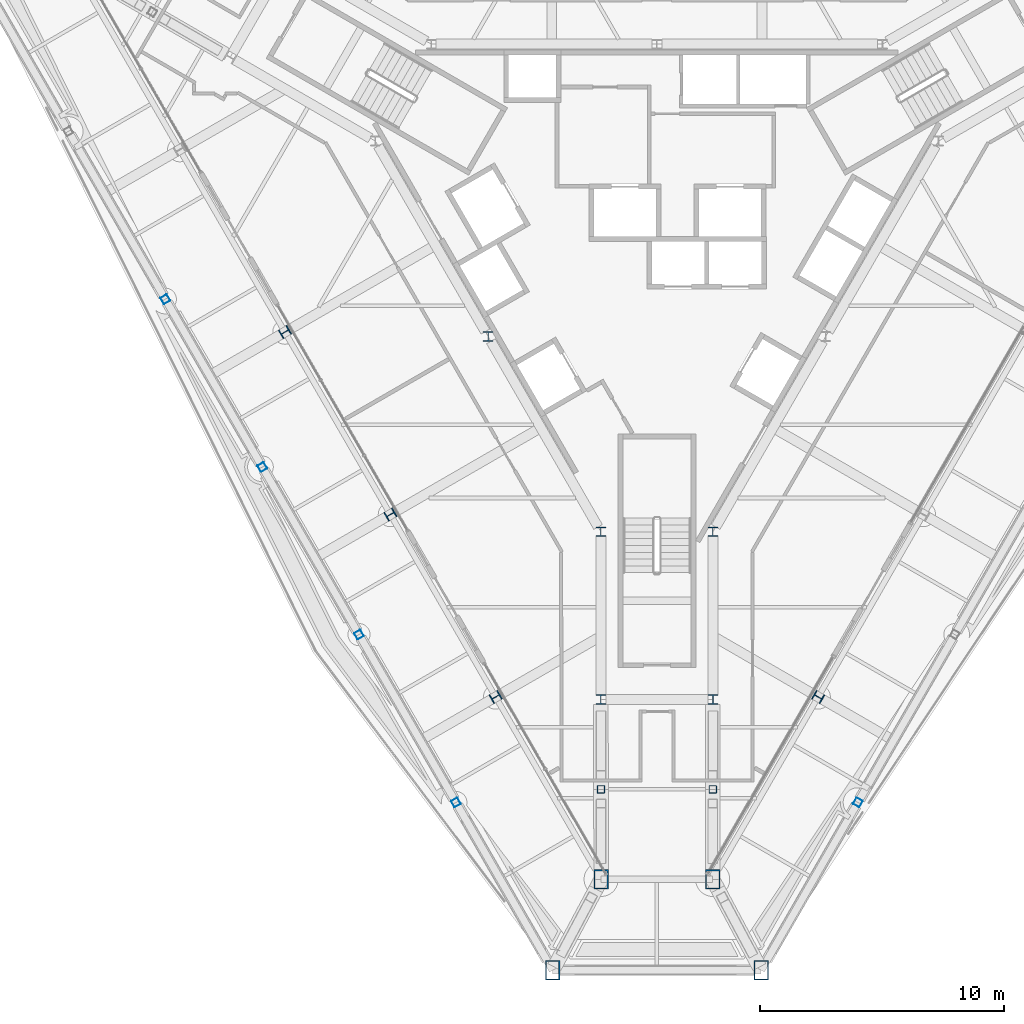
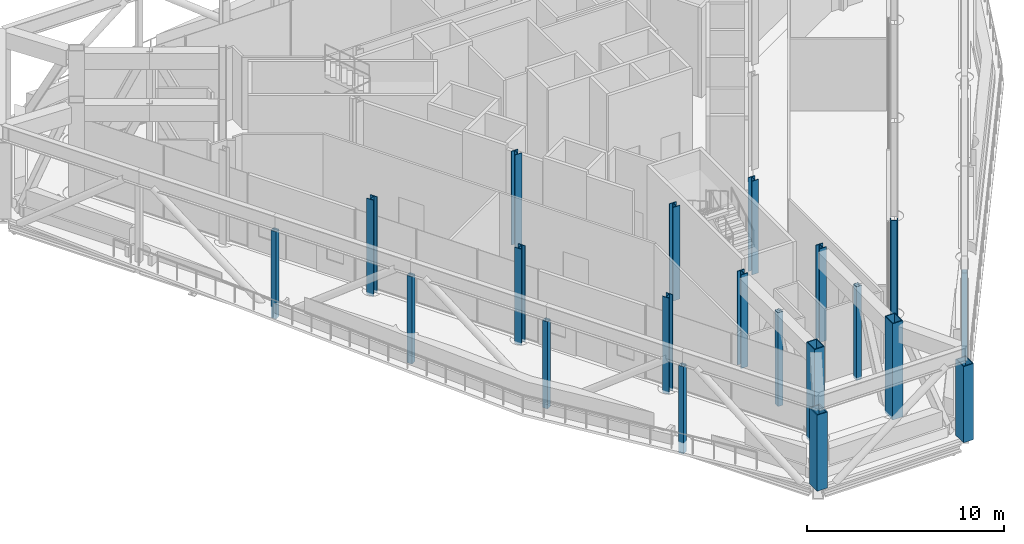
# One storey, part 1 of 24: 20 columns.
"""IFC4 building model written with IfcOpenShell, lengths in metres."""

from ifc_helpers import new_model, si_unit, direction, frame, origin, origin_2d, place, context, subcontext, project, spatial, hollow_rectangle, i_section, extrude, material, material_profile, profile_set, type_object, element, save


model = new_model("IFC4")

# Units and contexts
model_context = context("Model", 3, precision=1e-05, world=origin(), true_north=direction((0.0, 1.0)))
body_context = subcontext(model_context, "Body", "Model", "MODEL_VIEW")
ifc_project = project(units=[si_unit("LENGTHUNIT", "METRE"), si_unit("AREAUNIT", "SQUARE_METRE"), si_unit("VOLUMEUNIT", "CUBIC_METRE"), si_unit("PLANEANGLEUNIT", "RADIAN"), si_unit("MASSUNIT", "GRAM", prefix="KILO")], contexts=[model_context])

# Site, building, storey
site_placement = place(None, origin())
site = spatial("IfcSite", under=ifc_project, at=site_placement, CompositionType="ELEMENT")
building_placement = place(site_placement, origin())
building = spatial("IfcBuilding", under=site, at=building_placement, Name="Verrane Prism Tower", CompositionType="ELEMENT")
storey_placement = place(building_placement, frame((0.0, 0.0, 200.60009765625)))
storey = spatial("IfcBuildingStorey", under=building, at=storey_placement, Name="L50", CompositionType="ELEMENT", Elevation=200.60009765625)

# Columns
ifc_material_1 = material(Name="Steel A500 Grade C", Category="steel")
ifc_material_profile_1 = material_profile(ifc_material_1, hollow_rectangle(XDim=0.3046875, YDim=0.3046875, WallThickness=0.0126953125, InnerFilletRadius=0.00634765625, OuterFilletRadius=0.01904296875, at=origin_2d()), Name="HSS12x12x1/2")
ifc_profile_set_1 = profile_set([ifc_material_profile_1], Name="Steel A500 Grade C")
column_type_1 = type_object("IfcColumnType", Name="Belt truss post HSS12x12x1/2", PredefinedType="COLUMN", material=ifc_profile_set_1)
for number, where, z_axis, x_axis, name in (
    (1, (-20.179931640625, -2.469970703125, -0.690185546875), (0.0, 0.0, 1.0), (-0.5, 0.866025403784, 0.0), "Belt truss post L50"),
    (2, (-16.199951171875, -9.360107421875, -0.690185546875), (0.0, 0.0, 1.0), (-0.5, 0.866025403784, 0.0), "Belt truss post L50"),
    (3, (-12.22998046875, -16.239990234375, -0.690185546875), (0.0, 0.0, 1.0), (-0.5, 0.866025403784, 0.0), "Belt truss post L50"),
    (4, (-8.25, -23.1298828125, -0.690185546875), (0.0, 0.0, 1.0), (-0.5, 0.866025403784, 0.0), "Belt truss post L50"),
    (5, (8.25, -23.1298828125, -0.690185546875), (0.0, 0.0, 1.0), (-0.5, -0.866025403784, 0.0), "Belt truss post L50"),
):
    element("IfcColumn", number, at=place(storey_placement, frame(where, z_axis=z_axis, x_axis=x_axis)), inside=storey, type_object=column_type_1, Name=name, PredefinedType="COLUMN", context=body_context, shape_type="SweptSolid", body=[
        extrude(hollow_rectangle(XDim=0.3046875, YDim=0.3046875, WallThickness=0.0126953125, InnerFilletRadius=0.00634765625, OuterFilletRadius=0.01904296875, at=origin_2d()), origin(), (0.0, 0.0, 1.0), 5.400146484375),
    ])
ifc_material_2 = material(Name="Steel A992", Category="steel")
ifc_material_profile_2 = material_profile(ifc_material_2, i_section(OverallWidth=0.406494140625, OverallDepth=0.41650390625, WebThickness=0.030029296875, FlangeThickness=0.048095703125, FilletRadius=0.01513671875, at=origin_2d()), Name="W14x257")
ifc_profile_set_2 = profile_set([ifc_material_profile_2], Name="Steel A992")
column_type_2 = type_object("IfcColumnType", Name="Core corner column W14x257", PredefinedType="COLUMN", material=ifc_profile_set_2)
for number, where, z_axis, x_axis, name in (
    (6, (-2.300048828125, -18.89990234375, 0.0), (0.0, 0.0, 1.0), (-1.0, 0.0, 0.0), "Core corner column CK-Sm L50"),
    (7, (2.300048828125, -18.89990234375, 0.0), (0.0, 0.0, 1.0), (-1.0, 0.0, 0.0), "Core corner column CK-Sp L50"),
):
    element("IfcColumn", number, at=place(storey_placement, frame(where, z_axis=z_axis, x_axis=x_axis)), inside=storey, type_object=column_type_2, Name=name, PredefinedType="COLUMN", context=body_context, shape_type="SweptSolid", body=[
        extrude(i_section(OverallWidth=0.406494140625, OverallDepth=0.41650390625, WebThickness=0.030029296875, FlangeThickness=0.048095703125, FilletRadius=0.01513671875, at=origin_2d()), origin(), (0.0, 0.0, 1.0), 5.7998046875),
    ])
ifc_material_3 = material(Name="Steel A992", Category="steel")
ifc_material_profile_3 = material_profile(ifc_material_3, i_section(OverallWidth=0.4013671875, OverallDepth=0.398681640625, WebThickness=0.02490234375, FlangeThickness=0.03955078125, FilletRadius=0.01513671875, at=origin_2d()), Name="W14x211")
ifc_profile_set_3 = profile_set([ifc_material_profile_3], Name="Steel A992")
column_type_3 = type_object("IfcColumnType", Name="Core side column W14x211", PredefinedType="COLUMN", material=ifc_profile_set_3)
for number, where, z_axis, x_axis, name in (
    (8, (-6.929931640625, -4.0, 0.0), (0.0, 0.0, 1.0), (1.0, 0.0, 0.0), "Core side column CC-SW0 L50"),
    (9, (-2.300048828125, -12.02001953125, 0.0), (0.0, 0.0, 1.0), (1.0, 0.0, 0.0), "Core side column CC-Sm L50"),
    (10, (2.300048828125, -12.02001953125, 0.0), (0.0, 0.0, 1.0), (1.0, 0.0, 0.0), "Core side column CC-Sp L50"),
):
    element("IfcColumn", number, at=place(storey_placement, frame(where, z_axis=z_axis, x_axis=x_axis)), inside=storey, type_object=column_type_3, Name=name, PredefinedType="COLUMN", context=body_context, shape_type="SweptSolid", body=[
        extrude(i_section(OverallWidth=0.4013671875, OverallDepth=0.398681640625, WebThickness=0.02490234375, FlangeThickness=0.03955078125, FilletRadius=0.01513671875, at=origin_2d()), origin(), (0.0, 0.0, 1.0), 5.7998046875),
    ])
ifc_material_4 = material(Name="Steel A572 Grade 50", Category="steel")
ifc_material_profile_4 = material_profile(ifc_material_4, hollow_rectangle(XDim=0.60009765625, YDim=0.800048828125, WallThickness=0.050048828125, at=origin_2d()), Name="BOX 800x600x50")
ifc_profile_set_4 = profile_set([ifc_material_profile_4], Name="Steel A572 Grade 50")
column_type_4 = type_object("IfcColumnType", Name="Megacolumn BOX 800x600x50", PredefinedType="COLUMN", material=ifc_profile_set_4)
column_1_placement = place(storey_placement, frame((-4.280029296875, -30.02001953125, 0.0), z_axis=(0.0, 0.0, 1.0), x_axis=(-1.0, 0.0, 0.0)))
element("IfcColumn", 11, at=column_1_placement, inside=storey, type_object=column_type_4, Name="Megacolumn MC-S.a@out L50", PredefinedType="COLUMN", context=body_context, shape_type="SweptSolid", body=[
    extrude(hollow_rectangle(XDim=0.60009765625, YDim=0.800048828125, WallThickness=0.050048828125, at=origin_2d()), origin(), (0.0, 0.0, 1.0), 4.7099609375),
])
column_2_placement = place(storey_placement, frame((-2.2900390625, -26.2900390625, -0.16015625), z_axis=(0.0, 0.0, 1.0), x_axis=(-1.0, 0.0, 0.0)))
element("IfcColumn", 12, at=column_2_placement, inside=storey, type_object=column_type_4, Name="Megacolumn MC-S.a L50", PredefinedType="COLUMN", context=body_context, shape_type="SweptSolid", body=[
    extrude(hollow_rectangle(XDim=0.60009765625, YDim=0.800048828125, WallThickness=0.050048828125, at=origin_2d()), origin(), (0.0, 0.0, 1.0), 5.9599609375),
])
column_3_placement = place(storey_placement, frame((4.280029296875, -30.02001953125, 0.0), z_axis=(0.0, 0.0, 1.0), x_axis=(-1.0, 0.0, 0.0)))
element("IfcColumn", 13, at=column_3_placement, inside=storey, type_object=column_type_4, Name="Megacolumn MC-S.b@out L50", PredefinedType="COLUMN", context=body_context, shape_type="SweptSolid", body=[
    extrude(hollow_rectangle(XDim=0.60009765625, YDim=0.800048828125, WallThickness=0.050048828125, at=origin_2d()), origin(), (0.0, 0.0, 1.0), 4.7099609375),
])
column_4_placement = place(storey_placement, frame((2.2900390625, -26.2900390625, -0.16015625), z_axis=(0.0, 0.0, 1.0), x_axis=(-1.0, 0.0, 0.0)))
element("IfcColumn", 14, at=column_4_placement, inside=storey, type_object=column_type_4, Name="Megacolumn MC-S.b L50", PredefinedType="COLUMN", context=body_context, shape_type="SweptSolid", body=[
    extrude(hollow_rectangle(XDim=0.60009765625, YDim=0.800048828125, WallThickness=0.050048828125, at=origin_2d()), origin(), (0.0, 0.0, 1.0), 5.9599609375),
])
ifc_material_5 = material(Name="Steel A500 Grade C", Category="steel")
ifc_material_profile_5 = material_profile(ifc_material_5, hollow_rectangle(XDim=0.3046875, YDim=0.3046875, WallThickness=0.0126953125, InnerFilletRadius=0.00634765625, OuterFilletRadius=0.01904296875, at=origin_2d()), Name="HSS12x12x1/2")
ifc_profile_set_5 = profile_set([ifc_material_profile_5], Name="Steel A500 Grade C")
column_type_5 = type_object("IfcColumnType", Name="Outrigger truss post HSS12x12x1/2", PredefinedType="COLUMN", material=ifc_profile_set_5)
for number, where, z_axis, x_axis, name in (
    (15, (-2.294921875, -22.594970703125, -0.16015625), (0.0, 0.0, 1.0), (0.999999085196, 0.001352629758, 0.0), "Outrigger truss post L50"),
    (16, (2.294921875, -22.594970703125, -0.16015625), (0.0, 0.0, 1.0), (0.999999085196, -0.001352629758, 0.0), "Outrigger truss post L50"),
):
    element("IfcColumn", number, at=place(storey_placement, frame(where, z_axis=z_axis, x_axis=x_axis)), inside=storey, type_object=column_type_5, Name=name, PredefinedType="COLUMN", context=body_context, shape_type="SweptSolid", body=[
        extrude(hollow_rectangle(XDim=0.3046875, YDim=0.3046875, WallThickness=0.0126953125, InnerFilletRadius=0.00634765625, OuterFilletRadius=0.01904296875, at=origin_2d()), origin(), (0.0, 0.0, 1.0), 5.800048828125),
    ])
ifc_material_6 = material(Name="Steel A992", Category="steel")
ifc_material_profile_6 = material_profile(ifc_material_6, i_section(OverallWidth=0.4013671875, OverallDepth=0.398681640625, WebThickness=0.02490234375, FlangeThickness=0.03955078125, FilletRadius=0.01513671875, at=origin_2d()), Name="W14x211")
ifc_profile_set_6 = profile_set([ifc_material_profile_6], Name="Steel A992")
column_type_6 = type_object("IfcColumnType", Name="Perimeter column W14x211", PredefinedType="COLUMN", material=ifc_profile_set_6)
for number, where, z_axis, x_axis, name in (
    (17, (-15.27001953125, -3.820068359375, -0.16015625), (0.0, 0.0, 1.0), (-0.5, 0.866025403784, 0.0), "Perimeter column PC-SW2 L50"),
    (18, (-10.93994140625, -11.31005859375, -0.16015625), (0.0, 0.0, 1.0), (-0.5, 0.866025403784, 0.0), "Perimeter column PC-SW3 L50"),
    (19, (-6.6201171875, -18.800048828125, -0.16015625), (0.0, 0.0, 1.0), (-0.5, 0.866025403784, 0.0), "Perimeter column PC-SW4 L50"),
    (20, (6.6201171875, -18.800048828125, -0.16015625), (0.0, 0.0, 1.0), (-0.5, -0.866025403784, 0.0), "Perimeter column PC-SE1 L50"),
):
    element("IfcColumn", number, at=place(storey_placement, frame(where, z_axis=z_axis, x_axis=x_axis)), inside=storey, type_object=column_type_6, Name=name, PredefinedType="COLUMN", context=body_context, shape_type="SweptSolid", body=[
        extrude(i_section(OverallWidth=0.4013671875, OverallDepth=0.398681640625, WebThickness=0.02490234375, FlangeThickness=0.03955078125, FilletRadius=0.01513671875, at=origin_2d()), origin(), (0.0, 0.0, 1.0), 5.9599609375),
    ])

save(model, "model.ifc")
